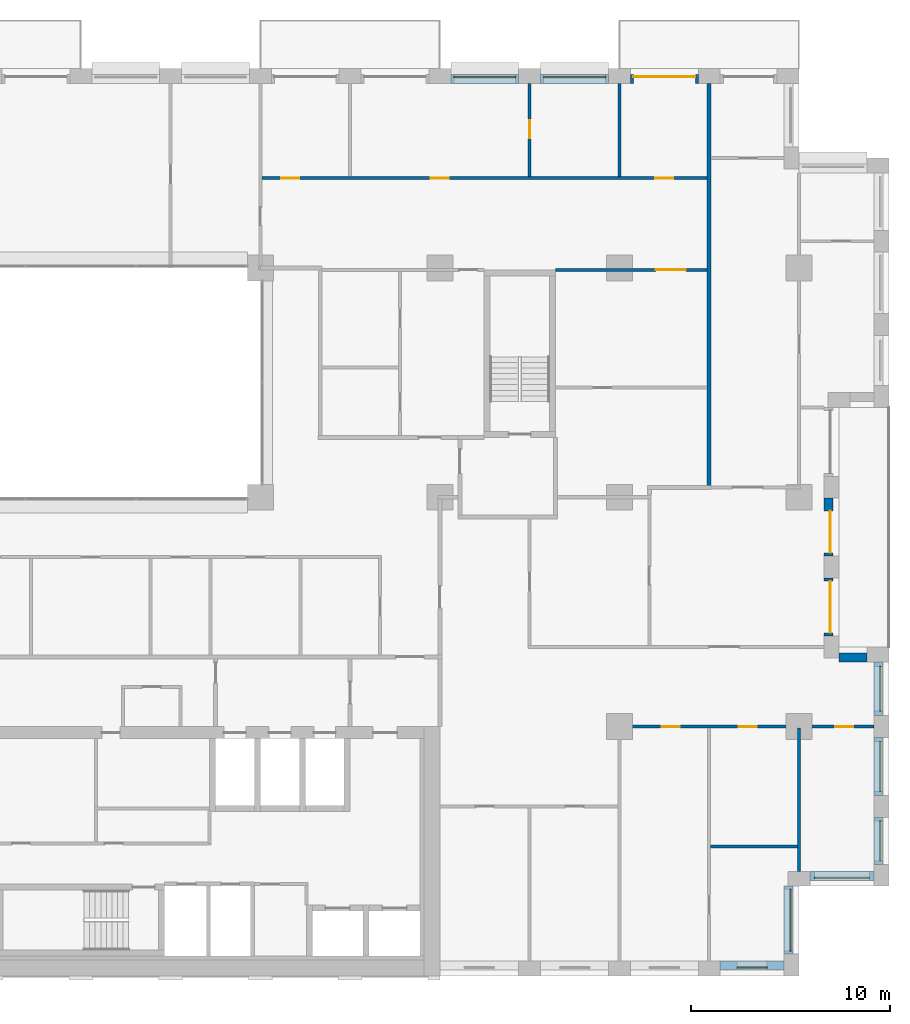
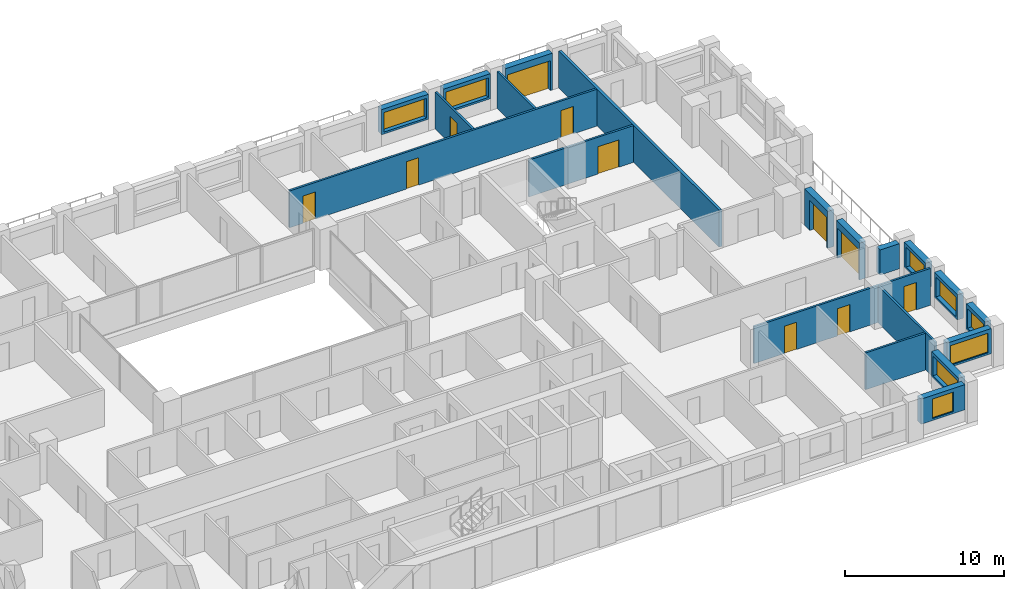
# One storey, part 14 of 16: 20 walls, 11 doors, 8 windows, 19 openings.
"""IFC4 building model written with IfcOpenShell, lengths in metres."""

from ifc_helpers import new_model, si_unit, direction, frame, frame_2d, origin, place, context, subcontext, project, spatial, rectangle, extrude, material, layer, layer_set, type_object, element, fill, save


model = new_model("IFC4")

# Units and contexts
model_context = context("Model", 3, precision=1e-05, world=origin(), true_north=direction((0.0, 1.0)))
body_context = subcontext(model_context, "Body", "Model", "MODEL_VIEW")
ifc_project = project(units=[si_unit("LENGTHUNIT", "METRE"), si_unit("AREAUNIT", "SQUARE_METRE"), si_unit("VOLUMEUNIT", "CUBIC_METRE"), si_unit("PLANEANGLEUNIT", "RADIAN"), si_unit("MASSUNIT", "GRAM", prefix="KILO")], contexts=[model_context])

# Site, building, storey
site_placement = place(None, origin())
site = spatial("IfcSite", under=ifc_project, at=site_placement, CompositionType="ELEMENT")
building_placement = place(site_placement, origin())
building = spatial("IfcBuilding", under=site, at=building_placement, Name="Brigalow Station Residences", CompositionType="ELEMENT")
storey_placement = place(building_placement, frame((0.0, 0.0, 93.0)))
storey = spatial("IfcBuildingStorey", under=building, at=storey_placement, Name="L26", CompositionType="ELEMENT", Elevation=93.0)

# Wall, opening, window
ifc_material_1 = material(Name="Clay brick masonry", Category="masonry")
ifc_layer_1 = layer(ifc_material_1, 0.449951171875)
ifc_layer_set_1 = layer_set([ifc_layer_1], Name="BRICK INFILL WALL 450")
wall_type_1 = type_object("IfcWallType", Name="BRICK INFILL WALL 450", PredefinedType="SOLIDWALL", material=ifc_layer_set_1)
wall_1_placement = place(storey_placement, frame((68.050048828125, 0.52490234375, 0.89990234375), z_axis=(0.0, 0.0, 1.0), x_axis=(1.0, 0.0, 0.0)))
wall_1 = element("IfcWall", 1, at=wall_1_placement, inside=storey, type_object=wall_type_1, Name="L26/ewall/W-L26-7", PredefinedType="SOLIDWALL", context=body_context, shape_type="SweptSolid", body=[
    extrude(rectangle(XDim=3.199951171875, YDim=0.449951171875, at=frame_2d((1.60009765625, 0.0))), origin(), (0.0, 0.0, 1.0), 1.93017578125),
])
opening_1_placement = place(wall_1_placement, frame((0.85009765625, 0.0, 0.14990234375)))
opening_1 = element("IfcOpeningElement", 2, at=opening_1_placement, cuts=wall_1, Name="Opening WT-1", PredefinedType="OPENING", context=body_context, shape_type="SweptSolid", body=[
    extrude(rectangle(XDim=1.5, YDim=1.5, at=frame_2d((0.75, 0.75))), frame((0.0, 0.23486328125, 0.0), z_axis=(0.0, -1.0, 0.0), x_axis=(1.0, 0.0, 0.0)), (0.0, 0.0, 1.0), 0.469970703125),
])
ifc_material_2 = material(Name="Anodised aluminium frame with double glazing", Category="aluminium")
window_type_1 = type_object("IfcWindowType", Name="WINDOW 1500x1500", PartitioningType="SINGLE_PANEL", PredefinedType="WINDOW", material=ifc_material_2)
window_1_placement = place(opening_1_placement, origin())
window_1 = element("IfcWindow", 3, at=window_1_placement, inside=storey, type_object=window_type_1, Name="L26/window/W-L26-7", OverallHeight=1.5, OverallWidth=1.5, PartitioningType="SINGLE_PANEL", PredefinedType="WINDOW", context=body_context, shape_type="SweptSolid", body=[
    extrude(rectangle(XDim=1.5, YDim=1.5, at=frame_2d((0.75, 0.75))), frame((0.0, -0.06494140625, 0.0), z_axis=(0.0, -1.0, 0.0), x_axis=(1.0, 0.0, 0.0)), (0.0, 0.0, 1.0), 0.06005859375),
])
fill(opening_1, window_1)

wall_2_placement = place(storey_placement, frame((71.47509765625, 1.10009765625, 0.89990234375), z_axis=(0.0, 0.0, 1.0), x_axis=(0.0, 1.0, 0.0)))
wall_2 = element("IfcWall", 4, at=wall_2_placement, inside=storey, type_object=wall_type_1, Name="L26/ewall/W-L26-8", PredefinedType="SOLIDWALL", context=body_context, shape_type="SweptSolid", body=[
    extrude(rectangle(XDim=3.39990234375, YDim=0.449951171875, at=frame_2d((1.699951171875, 0.0))), origin(), (0.0, 0.0, 1.0), 1.93017578125),
])
opening_2_placement = place(wall_2_placement, frame((0.14990234375, 0.0, 0.14990234375)))
opening_2 = element("IfcOpeningElement", 5, at=opening_2_placement, cuts=wall_2, Name="Opening WT-8", PredefinedType="OPENING", context=body_context, shape_type="SweptSolid", body=[
    extrude(rectangle(XDim=3.10009765625, YDim=1.5, at=frame_2d((1.550048828125, 0.75))), frame((0.0, 0.23486328125, 0.0), z_axis=(0.0, -1.0, 0.0), x_axis=(1.0, 0.0, 0.0)), (0.0, 0.0, 1.0), 0.469970703125),
])
ifc_material_3 = material(Name="Anodised aluminium frame with double glazing", Category="aluminium")
window_type_2 = type_object("IfcWindowType", Name="WINDOW 3100x1500", PartitioningType="SINGLE_PANEL", PredefinedType="WINDOW", material=ifc_material_3)
window_2_placement = place(opening_2_placement, origin())
window_2 = element("IfcWindow", 6, at=window_2_placement, inside=storey, type_object=window_type_2, Name="L26/window/W-L26-8", OverallHeight=1.5, OverallWidth=3.10009765625, PartitioningType="SINGLE_PANEL", PredefinedType="WINDOW", context=body_context, shape_type="SweptSolid", body=[
    extrude(rectangle(XDim=3.10009765625, YDim=1.5, at=frame_2d((1.550048828125, 0.75))), frame((0.0, -0.06494140625, 0.0), z_axis=(0.0, -1.0, 0.0), x_axis=(1.0, 0.0, 0.0)), (0.0, 0.0, 1.0), 0.06005859375),
])
fill(opening_2, window_2)

wall_3_placement = place(storey_placement, frame((72.550048828125, 5.02490234375, 0.89990234375), z_axis=(0.0, 0.0, 1.0), x_axis=(1.0, 0.0, 0.0)))
wall_3 = element("IfcWall", 7, at=wall_3_placement, inside=storey, type_object=wall_type_1, Name="L26/ewall/W-L26-9", PredefinedType="SOLIDWALL", context=body_context, shape_type="SweptSolid", body=[
    extrude(rectangle(XDim=3.199951171875, YDim=0.449951171875, at=frame_2d((1.60009765625, 0.0))), origin(), (0.0, 0.0, 1.0), 1.93017578125),
])
opening_3_placement = place(wall_3_placement, frame((0.22509765625, 0.0, 0.14990234375)))
opening_3 = element("IfcOpeningElement", 8, at=opening_3_placement, cuts=wall_3, Name="Opening WT-3", PredefinedType="OPENING", context=body_context, shape_type="SweptSolid", body=[
    extrude(rectangle(XDim=2.75, YDim=1.5, at=frame_2d((1.375, 0.75))), frame((0.0, 0.23486328125, 0.0), z_axis=(0.0, -1.0, 0.0), x_axis=(1.0, 0.0, 0.0)), (0.0, 0.0, 1.0), 0.469970703125),
])
ifc_material_4 = material(Name="Anodised aluminium frame with double glazing", Category="aluminium")
window_type_3 = type_object("IfcWindowType", Name="WINDOW 2750x1500", PartitioningType="SINGLE_PANEL", PredefinedType="WINDOW", material=ifc_material_4)
window_3_placement = place(opening_3_placement, origin())
window_3 = element("IfcWindow", 9, at=window_3_placement, inside=storey, type_object=window_type_3, Name="L26/window/W-L26-9", OverallHeight=1.5, OverallWidth=2.75, PartitioningType="SINGLE_PANEL", PredefinedType="WINDOW", context=body_context, shape_type="SweptSolid", body=[
    extrude(rectangle(XDim=2.75, YDim=1.5, at=frame_2d((1.375, 0.75))), frame((0.0, -0.06494140625, 0.0), z_axis=(0.0, -1.0, 0.0), x_axis=(1.0, 0.0, 0.0)), (0.0, 0.0, 1.0), 0.06005859375),
])
fill(opening_3, window_3)

wall_4_placement = place(storey_placement, frame((75.97509765625, 5.60009765625, 0.89990234375), z_axis=(0.0, 0.0, 1.0), x_axis=(0.0, 1.0, 0.0)))
wall_4 = element("IfcWall", 10, at=wall_4_placement, inside=storey, type_object=wall_type_1, Name="L26/ewall/W-L26-10", PredefinedType="SOLIDWALL", context=body_context, shape_type="SweptSolid", body=[
    extrude(rectangle(XDim=2.349853515625, YDim=0.449951171875, at=frame_2d((1.1748046875, 0.0))), origin(), (0.0, 0.0, 1.0), 1.93017578125),
])
opening_4_placement = place(wall_4_placement, frame((0.175048828125, 0.0, 0.14990234375)))
opening_4 = element("IfcOpeningElement", 11, at=opening_4_placement, cuts=wall_4, Name="Opening WT-7", PredefinedType="OPENING", context=body_context, shape_type="SweptSolid", body=[
    extrude(rectangle(XDim=2.0, YDim=1.5, at=frame_2d((1.0, 0.75))), frame((0.0, 0.23486328125, 0.0), z_axis=(0.0, -1.0, 0.0), x_axis=(1.0, 0.0, 0.0)), (0.0, 0.0, 1.0), 0.469970703125),
])
ifc_material_5 = material(Name="Anodised aluminium frame with double glazing", Category="aluminium")
window_type_4 = type_object("IfcWindowType", Name="WINDOW 2000x1500", PartitioningType="SINGLE_PANEL", PredefinedType="WINDOW", material=ifc_material_5)
window_4_placement = place(opening_4_placement, origin())
window_4 = element("IfcWindow", 12, at=window_4_placement, inside=storey, type_object=window_type_4, Name="L26/window/W-L26-10", OverallHeight=1.5, OverallWidth=2.0, PartitioningType="SINGLE_PANEL", PredefinedType="WINDOW", context=body_context, shape_type="SweptSolid", body=[
    extrude(rectangle(XDim=2.0, YDim=1.5, at=frame_2d((1.0, 0.75))), frame((0.0, -0.06494140625, 0.0), z_axis=(0.0, -1.0, 0.0), x_axis=(1.0, 0.0, 0.0)), (0.0, 0.0, 1.0), 0.06005859375),
])
fill(opening_4, window_4)

wall_5_placement = place(storey_placement, frame((75.97509765625, 9.050048828125, 0.89990234375), z_axis=(0.0, 0.0, 1.0), x_axis=(0.0, 1.0, 0.0)))
wall_5 = element("IfcWall", 13, at=wall_5_placement, inside=storey, type_object=wall_type_1, Name="L26/ewall/W-L26-11", PredefinedType="SOLIDWALL", context=body_context, shape_type="SweptSolid", body=[
    extrude(rectangle(XDim=2.89990234375, YDim=0.449951171875, at=frame_2d((1.449951171875, 0.0))), origin(), (0.0, 0.0, 1.0), 1.93017578125),
])
opening_5_placement = place(wall_5_placement, frame((0.199951171875, 0.0, 0.14990234375)))
opening_5 = element("IfcOpeningElement", 14, at=opening_5_placement, cuts=wall_5, Name="Opening WT-5", PredefinedType="OPENING", context=body_context, shape_type="SweptSolid", body=[
    extrude(rectangle(XDim=2.5, YDim=1.5, at=frame_2d((1.25, 0.75))), frame((0.0, 0.23486328125, 0.0), z_axis=(0.0, -1.0, 0.0), x_axis=(1.0, 0.0, 0.0)), (0.0, 0.0, 1.0), 0.469970703125),
])
ifc_material_6 = material(Name="Anodised aluminium frame with double glazing", Category="aluminium")
window_type_5 = type_object("IfcWindowType", Name="WINDOW 2500x1500", PartitioningType="SINGLE_PANEL", PredefinedType="WINDOW", material=ifc_material_6)
window_5_placement = place(opening_5_placement, origin())
window_5 = element("IfcWindow", 15, at=window_5_placement, inside=storey, type_object=window_type_5, Name="L26/window/W-L26-11", OverallHeight=1.5, OverallWidth=2.5, PartitioningType="SINGLE_PANEL", PredefinedType="WINDOW", context=body_context, shape_type="SweptSolid", body=[
    extrude(rectangle(XDim=2.5, YDim=1.5, at=frame_2d((1.25, 0.75))), frame((0.0, -0.06494140625, 0.0), z_axis=(0.0, -1.0, 0.0), x_axis=(1.0, 0.0, 0.0)), (0.0, 0.0, 1.0), 0.06005859375),
])
fill(opening_5, window_5)

wall_6_placement = place(storey_placement, frame((75.97509765625, 13.050048828125, 0.89990234375), z_axis=(0.0, 0.0, 1.0), x_axis=(0.0, 1.0, 0.0)))
wall_6 = element("IfcWall", 16, at=wall_6_placement, inside=storey, type_object=wall_type_1, Name="L26/ewall/W-L26-12", PredefinedType="SOLIDWALL", context=body_context, shape_type="SweptSolid", body=[
    extrude(rectangle(XDim=2.699951171875, YDim=0.449951171875, at=frame_2d((1.35009765625, 0.0))), origin(), (0.0, 0.0, 1.0), 1.93017578125),
])
opening_6_placement = place(wall_6_placement, frame((0.22509765625, 0.0, 0.14990234375)))
opening_6 = element("IfcOpeningElement", 17, at=opening_6_placement, cuts=wall_6, Name="Opening WT-6", PredefinedType="OPENING", context=body_context, shape_type="SweptSolid", body=[
    extrude(rectangle(XDim=2.25, YDim=1.5, at=frame_2d((1.125, 0.75))), frame((0.0, 0.23486328125, 0.0), z_axis=(0.0, -1.0, 0.0), x_axis=(1.0, 0.0, 0.0)), (0.0, 0.0, 1.0), 0.469970703125),
])
ifc_material_7 = material(Name="Anodised aluminium frame with double glazing", Category="aluminium")
window_type_6 = type_object("IfcWindowType", Name="WINDOW 2250x1500", PartitioningType="SINGLE_PANEL", PredefinedType="WINDOW", material=ifc_material_7)
window_6_placement = place(opening_6_placement, origin())
window_6 = element("IfcWindow", 18, at=window_6_placement, inside=storey, type_object=window_type_6, Name="L26/window/W-L26-12", OverallHeight=1.5, OverallWidth=2.25, PartitioningType="SINGLE_PANEL", PredefinedType="WINDOW", context=body_context, shape_type="SweptSolid", body=[
    extrude(rectangle(XDim=2.25, YDim=1.5, at=frame_2d((1.125, 0.75))), frame((0.0, -0.06494140625, 0.0), z_axis=(0.0, -1.0, 0.0), x_axis=(1.0, 0.0, 0.0)), (0.0, 0.0, 1.0), 0.06005859375),
])
fill(opening_6, window_6)

# Wall
wall_7_placement = place(storey_placement, frame((75.39990234375, 15.97509765625, 0.89990234375), z_axis=(0.0, 0.0, 1.0), x_axis=(-1.0, 0.0, 0.0)))
element("IfcWall", 19, at=wall_7_placement, inside=storey, type_object=wall_type_1, Name="L26/ewall/W-L26-13", PredefinedType="SOLIDWALL", context=body_context, shape_type="SweptSolid", body=[
    extrude(rectangle(XDim=1.39990234375, YDim=0.449951171875, at=frame_2d((0.699951171875, 0.0))), origin(), (0.0, 0.0, 1.0), 1.93017578125),
])

# Wall, opening, door
wall_8_placement = place(storey_placement, frame((73.47509765625, 17.050048828125, 0.0), z_axis=(0.0, 0.0, 1.0), x_axis=(0.0, 1.0, 0.0)))
wall_8 = element("IfcWall", 20, at=wall_8_placement, inside=storey, type_object=wall_type_1, Name="L26/ewall/W-L26-14", PredefinedType="SOLIDWALL", context=body_context, shape_type="SweptSolid", body=[
    extrude(rectangle(XDim=2.89990234375, YDim=0.449951171875, at=frame_2d((1.449951171875, 0.0))), origin(), (0.0, 0.0, 1.0), 2.830078125),
])
opening_7_placement = place(wall_8_placement, frame((0.14990234375, 0.0, 0.0)))
opening_7 = element("IfcOpeningElement", 21, at=opening_7_placement, cuts=wall_8, Name="Opening D-B2600", PredefinedType="OPENING", context=body_context, shape_type="SweptSolid", body=[
    extrude(rectangle(XDim=2.60009765625, YDim=2.300048828125, at=frame_2d((1.300048828125, 1.14990234375))), frame((0.0, 0.23486328125, 0.0), z_axis=(0.0, -1.0, 0.0), x_axis=(1.0, 0.0, 0.0)), (0.0, 0.0, 1.0), 0.469970703125),
])
ifc_material_8 = material(Name="Anodised aluminium frame with double glazing", Category="aluminium")
door_type_1 = type_object("IfcDoorType", Name="BALCONY SLIDING DOOR 2600x2300", OperationType="SLIDING_TO_LEFT", PredefinedType="DOOR", material=ifc_material_8)
door_1_placement = place(opening_7_placement, origin())
door_1 = element("IfcDoor", 22, at=door_1_placement, inside=storey, type_object=door_type_1, Name="L26/balcony-door/W-L26-14", OperationType="SLIDING_TO_LEFT", OverallHeight=2.300048828125, OverallWidth=2.60009765625, PredefinedType="DOOR", context=body_context, shape_type="SweptSolid", body=[
    extrude(rectangle(XDim=2.60009765625, YDim=2.300048828125, at=frame_2d((1.300048828125, 1.14990234375))), frame((0.0, -0.06982421875, 0.0), z_axis=(0.0, -1.0, 0.0), x_axis=(1.0, 0.0, 0.0)), (0.0, 0.0, 1.0), 0.050048828125),
])
fill(opening_7, door_1)

wall_9_placement = place(storey_placement, frame((73.47509765625, 21.050048828125, 0.0), z_axis=(0.0, 0.0, 1.0), x_axis=(0.0, 1.0, 0.0)))
wall_9 = element("IfcWall", 23, at=wall_9_placement, inside=storey, type_object=wall_type_1, Name="L26/ewall/W-L26-15", PredefinedType="SOLIDWALL", context=body_context, shape_type="SweptSolid", body=[
    extrude(rectangle(XDim=2.89990234375, YDim=0.449951171875, at=frame_2d((1.449951171875, 0.0))), origin(), (0.0, 0.0, 1.0), 2.830078125),
])
opening_8_placement = place(wall_9_placement, frame((0.1650390625, 0.0, 0.0)))
opening_8 = element("IfcOpeningElement", 24, at=opening_8_placement, cuts=wall_9, Name="Opening D-B2100", PredefinedType="OPENING", context=body_context, shape_type="SweptSolid", body=[
    extrude(rectangle(XDim=2.10009765625, YDim=2.300048828125, at=frame_2d((1.050048828125, 1.14990234375))), frame((0.0, 0.23486328125, 0.0), z_axis=(0.0, -1.0, 0.0), x_axis=(1.0, 0.0, 0.0)), (0.0, 0.0, 1.0), 0.469970703125),
])
ifc_material_9 = material(Name="Anodised aluminium frame with double glazing", Category="aluminium")
door_type_2 = type_object("IfcDoorType", Name="BALCONY SLIDING DOOR 2100x2300", OperationType="SLIDING_TO_LEFT", PredefinedType="DOOR", material=ifc_material_9)
door_2_placement = place(opening_8_placement, origin())
door_2 = element("IfcDoor", 25, at=door_2_placement, inside=storey, type_object=door_type_2, Name="L26/balcony-door/W-L26-15", OperationType="SLIDING_TO_LEFT", OverallHeight=2.300048828125, OverallWidth=2.10009765625, PredefinedType="DOOR", context=body_context, shape_type="SweptSolid", body=[
    extrude(rectangle(XDim=2.10009765625, YDim=2.300048828125, at=frame_2d((1.050048828125, 1.14990234375))), frame((0.0, -0.06982421875, 0.0), z_axis=(0.0, -1.0, 0.0), x_axis=(1.0, 0.0, 0.0)), (0.0, 0.0, 1.0), 0.050048828125),
])
fill(opening_8, door_2)

wall_10_placement = place(storey_placement, frame((66.949951171875, 44.97509765625, 0.0), z_axis=(0.0, 0.0, 1.0), x_axis=(-1.0, 0.0, 0.0)))
wall_10 = element("IfcWall", 26, at=wall_10_placement, inside=storey, type_object=wall_type_1, Name="L26/ewall/W-L26-24", PredefinedType="SOLIDWALL", context=body_context, shape_type="SweptSolid", body=[
    extrude(rectangle(XDim=3.39990234375, YDim=0.449951171875, at=frame_2d((1.699951171875, 0.0))), origin(), (0.0, 0.0, 1.0), 2.830078125),
])
opening_9_placement = place(wall_10_placement, frame((0.14990234375, 0.0, 0.0)))
opening_9 = element("IfcOpeningElement", 27, at=opening_9_placement, cuts=wall_10, Name="Opening D-B3100", PredefinedType="OPENING", context=body_context, shape_type="SweptSolid", body=[
    extrude(rectangle(XDim=3.10009765625, YDim=2.300048828125, at=frame_2d((1.550048828125, 1.14990234375))), frame((0.0, 0.23486328125, 0.0), z_axis=(0.0, -1.0, 0.0), x_axis=(1.0, 0.0, 0.0)), (0.0, 0.0, 1.0), 0.469970703125),
])
ifc_material_10 = material(Name="Anodised aluminium frame with double glazing", Category="aluminium")
door_type_3 = type_object("IfcDoorType", Name="BALCONY SLIDING DOOR 3100x2300", OperationType="SLIDING_TO_LEFT", PredefinedType="DOOR", material=ifc_material_10)
door_3_placement = place(opening_9_placement, origin())
door_3 = element("IfcDoor", 28, at=door_3_placement, inside=storey, type_object=door_type_3, Name="L26/balcony-door/W-L26-24", OperationType="SLIDING_TO_LEFT", OverallHeight=2.300048828125, OverallWidth=3.10009765625, PredefinedType="DOOR", context=body_context, shape_type="SweptSolid", body=[
    extrude(rectangle(XDim=3.10009765625, YDim=2.300048828125, at=frame_2d((1.550048828125, 1.14990234375))), frame((0.0, -0.06982421875, 0.0), z_axis=(0.0, -1.0, 0.0), x_axis=(1.0, 0.0, 0.0)), (0.0, 0.0, 1.0), 0.050048828125),
])
fill(opening_9, door_3)

# Wall, opening, window
wall_11_placement = place(storey_placement, frame((62.449951171875, 44.97509765625, 0.89990234375), z_axis=(0.0, 0.0, 1.0), x_axis=(-1.0, 0.0, 0.0)))
wall_11 = element("IfcWall", 29, at=wall_11_placement, inside=storey, type_object=wall_type_1, Name="L26/ewall/W-L26-25", PredefinedType="SOLIDWALL", context=body_context, shape_type="SweptSolid", body=[
    extrude(rectangle(XDim=3.39990234375, YDim=0.449951171875, at=frame_2d((1.699951171875, 0.0))), origin(), (0.0, 0.0, 1.0), 1.93017578125),
])
opening_10_placement = place(wall_11_placement, frame((0.14990234375, 0.0, 0.14990234375)))
opening_10 = element("IfcOpeningElement", 30, at=opening_10_placement, cuts=wall_11, Name="Opening WT-8", PredefinedType="OPENING", context=body_context, shape_type="SweptSolid", body=[
    extrude(rectangle(XDim=3.10009765625, YDim=1.5, at=frame_2d((1.550048828125, 0.75))), frame((0.0, 0.23486328125, 0.0), z_axis=(0.0, -1.0, 0.0), x_axis=(1.0, 0.0, 0.0)), (0.0, 0.0, 1.0), 0.469970703125),
])
window_7_placement = place(opening_10_placement, origin())
window_7 = element("IfcWindow", 31, at=window_7_placement, inside=storey, type_object=window_type_2, Name="L26/window/W-L26-25", OverallHeight=1.5, OverallWidth=3.10009765625, PartitioningType="SINGLE_PANEL", PredefinedType="WINDOW", context=body_context, shape_type="SweptSolid", body=[
    extrude(rectangle(XDim=3.10009765625, YDim=1.5, at=frame_2d((1.550048828125, 0.75))), frame((0.0, -0.06494140625, 0.0), z_axis=(0.0, -1.0, 0.0), x_axis=(1.0, 0.0, 0.0)), (0.0, 0.0, 1.0), 0.06005859375),
])
fill(opening_10, window_7)

wall_12_placement = place(storey_placement, frame((57.949951171875, 44.97509765625, 0.89990234375), z_axis=(0.0, 0.0, 1.0), x_axis=(-1.0, 0.0, 0.0)))
wall_12 = element("IfcWall", 32, at=wall_12_placement, inside=storey, type_object=wall_type_1, Name="L26/ewall/W-L26-26", PredefinedType="SOLIDWALL", context=body_context, shape_type="SweptSolid", body=[
    extrude(rectangle(XDim=3.39990234375, YDim=0.449951171875, at=frame_2d((1.699951171875, 0.0))), origin(), (0.0, 0.0, 1.0), 1.93017578125),
])
opening_11_placement = place(wall_12_placement, frame((0.14990234375, 0.0, 0.14990234375)))
opening_11 = element("IfcOpeningElement", 33, at=opening_11_placement, cuts=wall_12, Name="Opening WT-8", PredefinedType="OPENING", context=body_context, shape_type="SweptSolid", body=[
    extrude(rectangle(XDim=3.10009765625, YDim=1.5, at=frame_2d((1.550048828125, 0.75))), frame((0.0, 0.23486328125, 0.0), z_axis=(0.0, -1.0, 0.0), x_axis=(1.0, 0.0, 0.0)), (0.0, 0.0, 1.0), 0.469970703125),
])
window_8_placement = place(opening_11_placement, origin())
window_8 = element("IfcWindow", 34, at=window_8_placement, inside=storey, type_object=window_type_2, Name="L26/window/W-L26-26", OverallHeight=1.5, OverallWidth=3.10009765625, PartitioningType="SINGLE_PANEL", PredefinedType="WINDOW", context=body_context, shape_type="SweptSolid", body=[
    extrude(rectangle(XDim=3.10009765625, YDim=1.5, at=frame_2d((1.550048828125, 0.75))), frame((0.0, -0.06494140625, 0.0), z_axis=(0.0, -1.0, 0.0), x_axis=(1.0, 0.0, 0.0)), (0.0, 0.0, 1.0), 0.06005859375),
])
fill(opening_11, window_8)

# Wall, openings, doors
ifc_material_11 = material(Name="Plasterboard on steel stud partition", Category="steel")
ifc_layer_2 = layer(ifc_material_11, 0.14990234375)
ifc_layer_set_2 = layer_set([ifc_layer_2], Name="FLAT PARTITION 150")
wall_type_2 = type_object("IfcWallType", Name="FLAT PARTITION 150", PredefinedType="PARTITIONING", material=ifc_layer_set_2)
wall_13_placement = place(storey_placement, frame((62.925048828125, 12.5, 0.0), z_axis=(0.0, 0.0, 1.0), x_axis=(1.0, 0.0, 0.0)))
wall_13 = element("IfcWall", 35, at=wall_13_placement, inside=storey, type_object=wall_type_2, Name="PW-2B17", PredefinedType="PARTITIONING", context=body_context, shape_type="SweptSolid", body=[
    extrude(rectangle(XDim=12.824951171875, YDim=0.14990234375, at=frame_2d((6.41259765625, 0.0))), origin(), (0.0, 0.0, 1.0), 2.830078125),
])
opening_12_placement = place(wall_13_placement, frame((6.050048828125, 0.0, 0.0)))
opening_12 = element("IfcOpeningElement", 36, at=opening_12_placement, cuts=wall_13, Name="Opening D-2B35", PredefinedType="OPENING", context=body_context, shape_type="SweptSolid", body=[
    extrude(rectangle(XDim=0.89990234375, YDim=2.10009765625, at=frame_2d((0.449951171875, 1.050048828125))), frame((0.0, 0.0849609375, 0.0), z_axis=(0.0, -1.0, 0.0), x_axis=(1.0, 0.0, 0.0)), (0.0, 0.0, 1.0), 0.169921875),
])
opening_13_placement = place(wall_13_placement, frame((2.199951171875, 0.0, 0.0)))
opening_13 = element("IfcOpeningElement", 37, at=opening_13_placement, cuts=wall_13, Name="Opening D-2B37", PredefinedType="OPENING", context=body_context, shape_type="SweptSolid", body=[
    extrude(rectangle(XDim=0.89990234375, YDim=2.10009765625, at=frame_2d((0.449951171875, 1.050048828125))), frame((0.0, 0.0849609375, 0.0), z_axis=(0.0, -1.0, 0.0), x_axis=(1.0, 0.0, 0.0)), (0.0, 0.0, 1.0), 0.169921875),
])
opening_14_placement = place(wall_13_placement, frame((10.89990234375, 0.0, 0.0)))
opening_14 = element("IfcOpeningElement", 38, at=opening_14_placement, cuts=wall_13, Name="Opening D-2B39", PredefinedType="OPENING", context=body_context, shape_type="SweptSolid", body=[
    extrude(rectangle(XDim=0.89990234375, YDim=2.10009765625, at=frame_2d((0.449951171875, 1.050048828125))), frame((0.0, 0.0849609375, 0.0), z_axis=(0.0, -1.0, 0.0), x_axis=(1.0, 0.0, 0.0)), (0.0, 0.0, 1.0), 0.169921875),
])
ifc_material_12 = material(Name="Solid-core timber door leaf", Category="wood")
door_type_4 = type_object("IfcDoorType", Name="INTERNAL DOOR 900 x 2100", OperationType="SINGLE_SWING_LEFT", PredefinedType="DOOR", material=ifc_material_12)
door_4_placement = place(opening_12_placement, frame((0.89990234375, 0.0, 0.0), z_axis=(0.0, 0.0, 1.0), x_axis=(-1.0, 0.0, 0.0)))
door_4 = element("IfcDoor", 39, at=door_4_placement, inside=storey, type_object=door_type_4, Name="D-2B35", OperationType="SINGLE_SWING_RIGHT", OverallHeight=2.10009765625, OverallWidth=0.89990234375, PredefinedType="DOOR", context=body_context, shape_type="SweptSolid", body=[
    extrude(rectangle(XDim=0.89990234375, YDim=2.10009765625, at=frame_2d((0.449951171875, 1.050048828125))), frame((0.0, 0.02490234375, 0.0), z_axis=(0.0, -1.0, 0.0), x_axis=(1.0, 0.0, 0.0)), (0.0, 0.0, 1.0), 0.050048828125),
])
fill(opening_12, door_4)
door_5_placement = place(opening_13_placement, frame((0.89990234375, 0.0, 0.0), z_axis=(0.0, 0.0, 1.0), x_axis=(-1.0, 0.0, 0.0)))
door_5 = element("IfcDoor", 40, at=door_5_placement, inside=storey, type_object=door_type_4, Name="D-2B37", OperationType="SINGLE_SWING_LEFT", OverallHeight=2.10009765625, OverallWidth=0.89990234375, PredefinedType="DOOR", context=body_context, shape_type="SweptSolid", body=[
    extrude(rectangle(XDim=0.89990234375, YDim=2.10009765625, at=frame_2d((0.449951171875, 1.050048828125))), frame((0.0, 0.02490234375, 0.0), z_axis=(0.0, -1.0, 0.0), x_axis=(1.0, 0.0, 0.0)), (0.0, 0.0, 1.0), 0.050048828125),
])
fill(opening_13, door_5)
door_6_placement = place(opening_14_placement, frame((0.89990234375, 0.0, 0.0), z_axis=(0.0, 0.0, 1.0), x_axis=(-1.0, 0.0, 0.0)))
door_6 = element("IfcDoor", 41, at=door_6_placement, inside=storey, type_object=door_type_4, Name="D-2B39", OperationType="SINGLE_SWING_LEFT", OverallHeight=2.10009765625, OverallWidth=0.89990234375, PredefinedType="DOOR", context=body_context, shape_type="SweptSolid", body=[
    extrude(rectangle(XDim=0.89990234375, YDim=2.10009765625, at=frame_2d((0.449951171875, 1.050048828125))), frame((0.0, 0.02490234375, 0.0), z_axis=(0.0, -1.0, 0.0), x_axis=(1.0, 0.0, 0.0)), (0.0, 0.0, 1.0), 0.050048828125),
])
fill(opening_14, door_6)

# Wall, opening, door
wall_14_placement = place(storey_placement, frame((59.800048828125, 35.39990234375, 0.0), z_axis=(0.0, 0.0, 1.0), x_axis=(1.0, 0.0, 0.0)))
wall_14 = element("IfcWall", 42, at=wall_14_placement, inside=storey, type_object=wall_type_2, Name="PW-2B29", PredefinedType="PARTITIONING", context=body_context, shape_type="SweptSolid", body=[
    extrude(rectangle(XDim=7.599853515625, YDim=0.14990234375, at=frame_2d((3.7998046875, 0.0))), origin(), (0.0, 0.0, 1.0), 2.830078125),
])
opening_15_placement = place(wall_14_placement, frame((5.02490234375, 0.0, 0.0)))
opening_15 = element("IfcOpeningElement", 43, at=opening_15_placement, cuts=wall_14, Name="Opening D-2B31", PredefinedType="OPENING", context=body_context, shape_type="SweptSolid", body=[
    extrude(rectangle(XDim=1.5, YDim=2.10009765625, at=frame_2d((0.75, 1.050048828125))), frame((0.0, 0.0849609375, 0.0), z_axis=(0.0, -1.0, 0.0), x_axis=(1.0, 0.0, 0.0)), (0.0, 0.0, 1.0), 0.169921875),
])
ifc_material_13 = material(Name="Solid-core timber door leaf", Category="wood")
door_type_5 = type_object("IfcDoorType", Name="INTERNAL DOUBLE DOOR 1500 x 2100", OperationType="DOUBLE_DOOR_SINGLE_SWING", PredefinedType="DOOR", material=ifc_material_13)
door_7_placement = place(opening_15_placement, frame((1.5, 0.0, 0.0), z_axis=(0.0, 0.0, 1.0), x_axis=(-1.0, 0.0, 0.0)))
door_7 = element("IfcDoor", 44, at=door_7_placement, inside=storey, type_object=door_type_5, Name="D-2B31", OperationType="DOUBLE_DOOR_SINGLE_SWING", OverallHeight=2.10009765625, OverallWidth=1.5, PredefinedType="DOOR", context=body_context, shape_type="SweptSolid", body=[
    extrude(rectangle(XDim=1.5, YDim=2.10009765625, at=frame_2d((0.75, 1.050048828125))), frame((0.0, 0.02490234375, 0.0), z_axis=(0.0, -1.0, 0.0), x_axis=(1.0, 0.0, 0.0)), (0.0, 0.0, 1.0), 0.050048828125),
])
fill(opening_15, door_7)

# Wall, openings, doors
wall_15_placement = place(storey_placement, frame((45.074951171875, 40.0, 0.0), z_axis=(0.0, 0.0, 1.0), x_axis=(1.0, 0.0, 0.0)))
wall_15 = element("IfcWall", 45, at=wall_15_placement, inside=storey, type_object=wall_type_2, Name="PW-2B34", PredefinedType="PARTITIONING", context=body_context, shape_type="SweptSolid", body=[
    extrude(rectangle(XDim=22.324951171875, YDim=0.14990234375, at=frame_2d((11.16259765625, 0.0))), origin(), (0.0, 0.0, 1.0), 2.830078125),
])
opening_16_placement = place(wall_15_placement, frame((0.97509765625, 0.0, 0.0)))
opening_16 = element("IfcOpeningElement", 46, at=opening_16_placement, cuts=wall_15, Name="Opening D-2B27", PredefinedType="OPENING", context=body_context, shape_type="SweptSolid", body=[
    extrude(rectangle(XDim=0.89990234375, YDim=2.10009765625, at=frame_2d((0.449951171875, 1.050048828125))), frame((0.0, 0.0849609375, 0.0), z_axis=(0.0, -1.0, 0.0), x_axis=(1.0, 0.0, 0.0)), (0.0, 0.0, 1.0), 0.169921875),
])
opening_17_placement = place(wall_15_placement, frame((8.47509765625, 0.0, 0.0)))
opening_17 = element("IfcOpeningElement", 47, at=opening_17_placement, cuts=wall_15, Name="Opening D-2B28", PredefinedType="OPENING", context=body_context, shape_type="SweptSolid", body=[
    extrude(rectangle(XDim=0.89990234375, YDim=2.10009765625, at=frame_2d((0.449951171875, 1.050048828125))), frame((0.0, 0.0849609375, 0.0), z_axis=(0.0, -1.0, 0.0), x_axis=(1.0, 0.0, 0.0)), (0.0, 0.0, 1.0), 0.169921875),
])
opening_18_placement = place(wall_15_placement, frame((19.72509765625, 0.0, 0.0)))
opening_18 = element("IfcOpeningElement", 48, at=opening_18_placement, cuts=wall_15, Name="Opening D-2B30", PredefinedType="OPENING", context=body_context, shape_type="SweptSolid", body=[
    extrude(rectangle(XDim=0.89990234375, YDim=2.10009765625, at=frame_2d((0.449951171875, 1.050048828125))), frame((0.0, 0.0849609375, 0.0), z_axis=(0.0, -1.0, 0.0), x_axis=(1.0, 0.0, 0.0)), (0.0, 0.0, 1.0), 0.169921875),
])
door_8_placement = place(opening_16_placement, origin())
door_8 = element("IfcDoor", 49, at=door_8_placement, inside=storey, type_object=door_type_4, Name="D-2B27", OperationType="SINGLE_SWING_LEFT", OverallHeight=2.10009765625, OverallWidth=0.89990234375, PredefinedType="DOOR", context=body_context, shape_type="SweptSolid", body=[
    extrude(rectangle(XDim=0.89990234375, YDim=2.10009765625, at=frame_2d((0.449951171875, 1.050048828125))), frame((0.0, 0.02490234375, 0.0), z_axis=(0.0, -1.0, 0.0), x_axis=(1.0, 0.0, 0.0)), (0.0, 0.0, 1.0), 0.050048828125),
])
fill(opening_16, door_8)
door_9_placement = place(opening_17_placement, origin())
door_9 = element("IfcDoor", 50, at=door_9_placement, inside=storey, type_object=door_type_4, Name="D-2B28", OperationType="SINGLE_SWING_RIGHT", OverallHeight=2.10009765625, OverallWidth=0.89990234375, PredefinedType="DOOR", context=body_context, shape_type="SweptSolid", body=[
    extrude(rectangle(XDim=0.89990234375, YDim=2.10009765625, at=frame_2d((0.449951171875, 1.050048828125))), frame((0.0, 0.02490234375, 0.0), z_axis=(0.0, -1.0, 0.0), x_axis=(1.0, 0.0, 0.0)), (0.0, 0.0, 1.0), 0.050048828125),
])
fill(opening_17, door_9)
door_10_placement = place(opening_18_placement, origin())
door_10 = element("IfcDoor", 51, at=door_10_placement, inside=storey, type_object=door_type_4, Name="D-2B30", OperationType="SINGLE_SWING_RIGHT", OverallHeight=2.10009765625, OverallWidth=0.89990234375, PredefinedType="DOOR", context=body_context, shape_type="SweptSolid", body=[
    extrude(rectangle(XDim=0.89990234375, YDim=2.10009765625, at=frame_2d((0.449951171875, 1.050048828125))), frame((0.0, 0.02490234375, 0.0), z_axis=(0.0, -1.0, 0.0), x_axis=(1.0, 0.0, 0.0)), (0.0, 0.0, 1.0), 0.050048828125),
])
fill(opening_18, door_10)

# Wall
wall_16_placement = place(storey_placement, frame((67.574951171875, 6.5, 0.0), z_axis=(0.0, 0.0, 1.0), x_axis=(1.0, 0.0, 0.0)))
element("IfcWall", 52, at=wall_16_placement, inside=storey, type_object=wall_type_2, Name="PW-2B36", PredefinedType="PARTITIONING", context=body_context, shape_type="SweptSolid", body=[
    extrude(rectangle(XDim=4.35009765625, YDim=0.14990234375, at=frame_2d((2.175048828125, 0.0))), origin(), (0.0, 0.0, 1.0), 2.830078125),
])

# Wall, opening, door
wall_17_placement = place(storey_placement, frame((58.5, 40.074951171875, 0.0), z_axis=(0.0, 0.0, 1.0), x_axis=(0.0, 1.0, 0.0)))
wall_17 = element("IfcWall", 53, at=wall_17_placement, inside=storey, type_object=wall_type_2, Name="PW-2B62", PredefinedType="PARTITIONING", context=body_context, shape_type="SweptSolid", body=[
    extrude(rectangle(XDim=4.675048828125, YDim=0.14990234375, at=frame_2d((2.33740234375, 0.0))), origin(), (0.0, 0.0, 1.0), 2.830078125),
])
opening_19_placement = place(wall_17_placement, frame((1.925048828125, 0.0, 0.0)))
opening_19 = element("IfcOpeningElement", 54, at=opening_19_placement, cuts=wall_17, Name="Opening D-2B29", PredefinedType="OPENING", context=body_context, shape_type="SweptSolid", body=[
    extrude(rectangle(XDim=0.89990234375, YDim=2.10009765625, at=frame_2d((0.449951171875, 1.050048828125))), frame((0.0, 0.0849609375, 0.0), z_axis=(0.0, -1.0, 0.0), x_axis=(1.0, 0.0, 0.0)), (0.0, 0.0, 1.0), 0.169921875),
])
door_11_placement = place(opening_19_placement, frame((0.89990234375, 0.0, 0.0), z_axis=(0.0, 0.0, 1.0), x_axis=(-1.0, 0.0, 0.0)))
door_11 = element("IfcDoor", 55, at=door_11_placement, inside=storey, type_object=door_type_4, Name="D-2B29", OperationType="SINGLE_SWING_LEFT", OverallHeight=2.10009765625, OverallWidth=0.89990234375, PredefinedType="DOOR", context=body_context, shape_type="SweptSolid", body=[
    extrude(rectangle(XDim=0.89990234375, YDim=2.10009765625, at=frame_2d((0.449951171875, 1.050048828125))), frame((0.0, 0.02490234375, 0.0), z_axis=(0.0, -1.0, 0.0), x_axis=(1.0, 0.0, 0.0)), (0.0, 0.0, 1.0), 0.050048828125),
])
fill(opening_19, door_11)

# Walls
wall_18_placement = place(storey_placement, frame((63.0, 40.074951171875, 0.0), z_axis=(0.0, 0.0, 1.0), x_axis=(0.0, 1.0, 0.0)))
element("IfcWall", 56, at=wall_18_placement, inside=storey, type_object=wall_type_2, Name="PW-2B64", PredefinedType="PARTITIONING", context=body_context, shape_type="SweptSolid", body=[
    extrude(rectangle(XDim=4.675048828125, YDim=0.14990234375, at=frame_2d((2.33740234375, 0.0))), origin(), (0.0, 0.0, 1.0), 2.830078125),
])
wall_19_placement = place(storey_placement, frame((72.0, 5.25, 0.0), z_axis=(0.0, 0.0, 1.0), x_axis=(0.0, 1.0, 0.0)))
element("IfcWall", 57, at=wall_19_placement, inside=storey, type_object=wall_type_2, Name="PW-2B67", PredefinedType="PARTITIONING", context=body_context, shape_type="SweptSolid", body=[
    extrude(rectangle(XDim=7.175048828125, YDim=0.14990234375, at=frame_2d((3.58740234375, 0.0))), origin(), (0.0, 0.0, 1.0), 2.830078125),
])
ifc_material_14 = material(Name="Plasterboard on steel stud partition", Category="steel")
ifc_layer_3 = layer(ifc_material_14, 0.199951171875)
ifc_layer_set_3 = layer_set([ifc_layer_3], Name="PARTY AND CORRIDOR WALL 200")
wall_type_3 = type_object("IfcWallType", Name="PARTY AND CORRIDOR WALL 200", PredefinedType="PARTITIONING", material=ifc_layer_set_3)
wall_20_placement = place(storey_placement, frame((67.5, 24.574951171875, 0.0), z_axis=(0.0, 0.0, 1.0), x_axis=(0.0, 1.0, 0.0)))
element("IfcWall", 58, at=wall_20_placement, inside=storey, type_object=wall_type_3, Name="PW-2B58", PredefinedType="PARTITIONING", context=body_context, shape_type="SweptSolid", body=[
    extrude(rectangle(XDim=20.175048828125, YDim=0.199951171875, at=frame_2d((10.08740234375, 0.0))), origin(), (0.0, 0.0, 1.0), 2.830078125),
])

save(model, "model.ifc")
